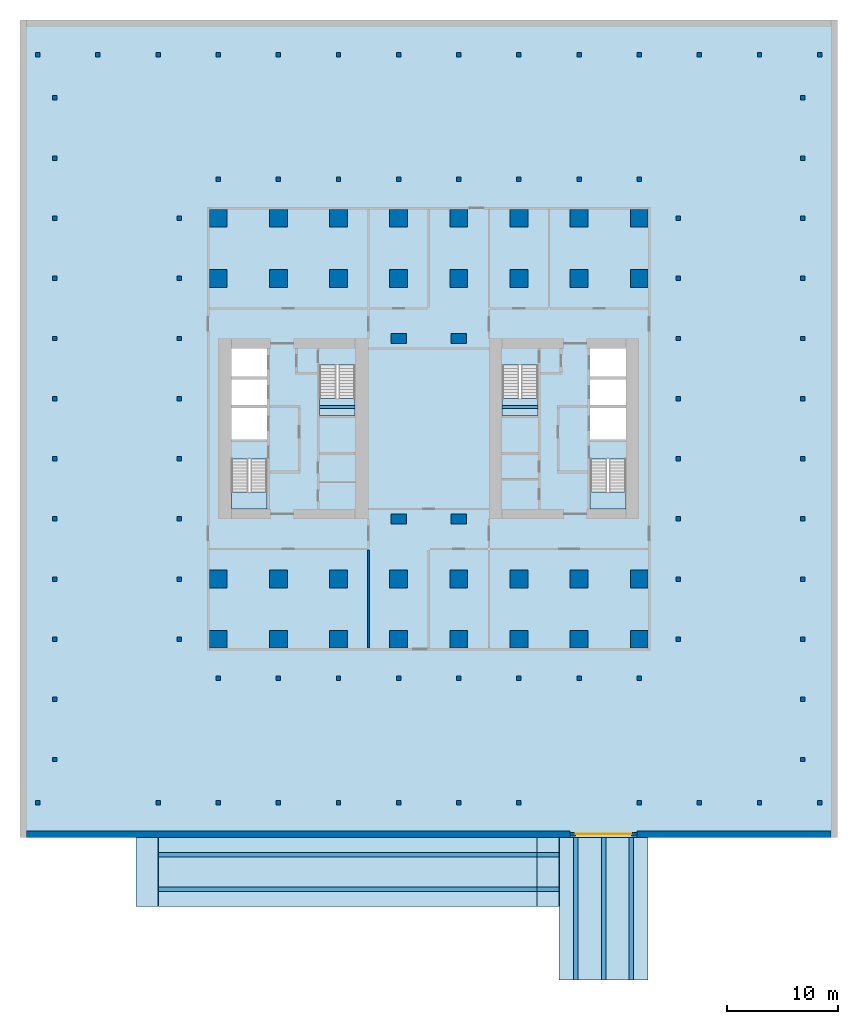
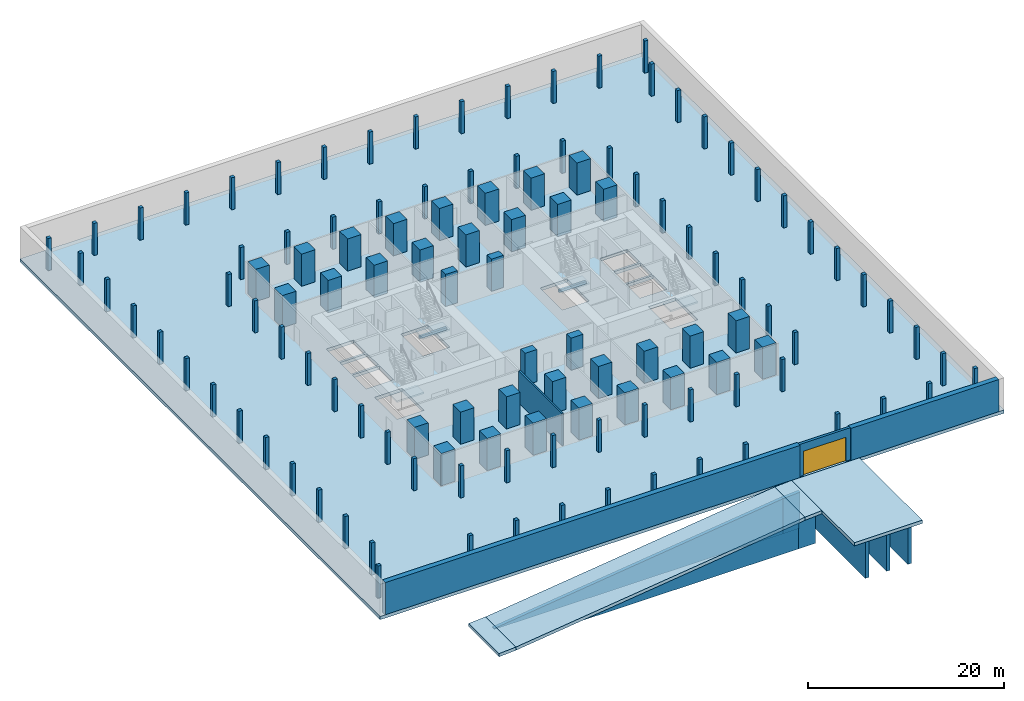
# One storey, part 1 of 6: 118 columns, 11 walls, 9 slabs, 2 beams, 1 door, 1 opening, 4 elements without a shape of their own.
"""IFC4 building model written with IfcOpenShell, lengths in metres."""

from ifc_helpers import new_model, si_unit, direction, frame, frame_2d, origin, origin_2d, place, context, subcontext, project, spatial, polyline, rectangle, outline, extrude, material, layer, layer_set, material_profile, profile_set, type_object, element, fill, aggregate, save


model = new_model("IFC4")

# Units and contexts
model_context = context("Model", 3, precision=1e-05, world=origin(), true_north=direction((0.0, 1.0)))
body_context = subcontext(model_context, "Body", "Model", "MODEL_VIEW")
ifc_project = project(units=[si_unit("LENGTHUNIT", "METRE"), si_unit("AREAUNIT", "SQUARE_METRE"), si_unit("VOLUMEUNIT", "CUBIC_METRE"), si_unit("PLANEANGLEUNIT", "RADIAN"), si_unit("MASSUNIT", "GRAM", prefix="KILO")], contexts=[model_context])

# Site, building, storey
site_placement = place(None, origin())
site = spatial("IfcSite", under=ifc_project, at=site_placement, CompositionType="ELEMENT")
building_placement = place(site_placement, origin())
building = spatial("IfcBuilding", under=site, at=building_placement, Name="Tabaq Tower and Sports Hall", CompositionType="ELEMENT")
storey_placement = place(building_placement, frame((0.0, 0.0, -4.5)))
storey = spatial("IfcBuildingStorey", under=building, at=storey_placement, Name="B01", CompositionType="ELEMENT", Elevation=-4.5)

# Columns
ifc_material_1 = material(Name="Concrete C60/75", Category="concrete")
ifc_material_profile_1 = material_profile(ifc_material_1, rectangle(XDim=1.39990234375, YDim=0.89990234375, at=origin_2d()), Name="ATRIUM COLUMN 1400x900")
ifc_profile_set_1 = profile_set([ifc_material_profile_1], Name="Concrete C60/75")
column_type_1 = type_object("IfcColumnType", Name="RC COLUMN ATRIUM COLUMN 1400x900 C60/75", PredefinedType="COLUMN", material=ifc_profile_set_1)
for number, where, z_axis, x_axis, name in (
    (1, (21.60009765625, 16.199951171875, 0.0), (0.0, 0.0, 1.0), (1.0, 0.0, 0.0), "Atrium Column 5/D B01"),
    (2, (27.0, 16.199951171875, 0.0), (0.0, 0.0, 1.0), (1.0, 0.0, 0.0), "Atrium Column 6/D B01"),
    (3, (21.60009765625, 32.39990234375, 0.0), (0.0, 0.0, 1.0), (1.0, 0.0, 0.0), "Atrium Column 5/G B01"),
    (4, (27.0, 32.39990234375, 0.0), (0.0, 0.0, 1.0), (1.0, 0.0, 0.0), "Atrium Column 6/G B01"),
):
    element("IfcColumn", number, at=place(storey_placement, frame(where, z_axis=z_axis, x_axis=x_axis)), inside=storey, type_object=column_type_1, Name=name, PredefinedType="COLUMN", context=body_context, shape_type="SweptSolid", body=[
        extrude(rectangle(XDim=1.39990234375, YDim=0.89990234375, at=origin_2d()), origin(), (0.0, 0.0, 1.0), 4.0),
    ])
ifc_material_2 = material(Name="Concrete C60/75", Category="concrete")
ifc_material_profile_2 = material_profile(ifc_material_2, rectangle(XDim=1.60009765625, YDim=1.60009765625, at=origin_2d()), Name="COLUMN 1600x1600")
ifc_profile_set_2 = profile_set([ifc_material_profile_2], Name="Concrete C60/75")
column_type_2 = type_object("IfcColumnType", Name="RC COLUMN COLUMN 1600x1600 C60/75", PredefinedType="COLUMN", material=ifc_profile_set_2)
for number, where, z_axis, x_axis, name in (
    (5, (5.39990234375, 5.39990234375, 0.0), (0.0, 0.0, 1.0), (1.0, 0.0, 0.0), "Column 2/B B01"),
    (6, (10.800048828125, 5.39990234375, 0.0), (0.0, 0.0, 1.0), (1.0, 0.0, 0.0), "Column 3/B B01"),
    (7, (16.199951171875, 5.39990234375, 0.0), (0.0, 0.0, 1.0), (1.0, 0.0, 0.0), "Column 4/B B01"),
    (8, (21.60009765625, 5.39990234375, 0.0), (0.0, 0.0, 1.0), (1.0, 0.0, 0.0), "Column 5/B B01"),
    (9, (27.0, 5.39990234375, 0.0), (0.0, 0.0, 1.0), (1.0, 0.0, 0.0), "Column 6/B B01"),
    (10, (32.39990234375, 5.39990234375, 0.0), (0.0, 0.0, 1.0), (1.0, 0.0, 0.0), "Column 7/B B01"),
    (11, (37.800048828125, 5.39990234375, 0.0), (0.0, 0.0, 1.0), (1.0, 0.0, 0.0), "Column 8/B B01"),
    (12, (43.199951171875, 5.39990234375, 0.0), (0.0, 0.0, 1.0), (1.0, 0.0, 0.0), "Column 9/B B01"),
    (13, (5.39990234375, 10.800048828125, 0.0), (0.0, 0.0, 1.0), (1.0, 0.0, 0.0), "Column 2/C B01"),
    (14, (10.800048828125, 10.800048828125, 0.0), (0.0, 0.0, 1.0), (1.0, 0.0, 0.0), "Column 3/C B01"),
    (15, (16.199951171875, 10.800048828125, 0.0), (0.0, 0.0, 1.0), (1.0, 0.0, 0.0), "Column 4/C B01"),
    (16, (21.60009765625, 10.800048828125, 0.0), (0.0, 0.0, 1.0), (1.0, 0.0, 0.0), "Column 5/C B01"),
    (17, (27.0, 10.800048828125, 0.0), (0.0, 0.0, 1.0), (1.0, 0.0, 0.0), "Column 6/C B01"),
    (18, (32.39990234375, 10.800048828125, 0.0), (0.0, 0.0, 1.0), (1.0, 0.0, 0.0), "Column 7/C B01"),
    (19, (37.800048828125, 10.800048828125, 0.0), (0.0, 0.0, 1.0), (1.0, 0.0, 0.0), "Column 8/C B01"),
    (20, (43.199951171875, 10.800048828125, 0.0), (0.0, 0.0, 1.0), (1.0, 0.0, 0.0), "Column 9/C B01"),
    (21, (5.39990234375, 37.800048828125, 0.0), (0.0, 0.0, 1.0), (1.0, 0.0, 0.0), "Column 2/H B01"),
    (22, (10.800048828125, 37.800048828125, 0.0), (0.0, 0.0, 1.0), (1.0, 0.0, 0.0), "Column 3/H B01"),
    (23, (16.199951171875, 37.800048828125, 0.0), (0.0, 0.0, 1.0), (1.0, 0.0, 0.0), "Column 4/H B01"),
    (24, (21.60009765625, 37.800048828125, 0.0), (0.0, 0.0, 1.0), (1.0, 0.0, 0.0), "Column 5/H B01"),
    (25, (27.0, 37.800048828125, 0.0), (0.0, 0.0, 1.0), (1.0, 0.0, 0.0), "Column 6/H B01"),
    (26, (32.39990234375, 37.800048828125, 0.0), (0.0, 0.0, 1.0), (1.0, 0.0, 0.0), "Column 7/H B01"),
    (27, (37.800048828125, 37.800048828125, 0.0), (0.0, 0.0, 1.0), (1.0, 0.0, 0.0), "Column 8/H B01"),
    (28, (43.199951171875, 37.800048828125, 0.0), (0.0, 0.0, 1.0), (1.0, 0.0, 0.0), "Column 9/H B01"),
    (29, (5.39990234375, 43.199951171875, 0.0), (0.0, 0.0, 1.0), (1.0, 0.0, 0.0), "Column 2/I B01"),
    (30, (10.800048828125, 43.199951171875, 0.0), (0.0, 0.0, 1.0), (1.0, 0.0, 0.0), "Column 3/I B01"),
    (31, (16.199951171875, 43.199951171875, 0.0), (0.0, 0.0, 1.0), (1.0, 0.0, 0.0), "Column 4/I B01"),
    (32, (21.60009765625, 43.199951171875, 0.0), (0.0, 0.0, 1.0), (1.0, 0.0, 0.0), "Column 5/I B01"),
    (33, (27.0, 43.199951171875, 0.0), (0.0, 0.0, 1.0), (1.0, 0.0, 0.0), "Column 6/I B01"),
    (34, (32.39990234375, 43.199951171875, 0.0), (0.0, 0.0, 1.0), (1.0, 0.0, 0.0), "Column 7/I B01"),
    (35, (37.800048828125, 43.199951171875, 0.0), (0.0, 0.0, 1.0), (1.0, 0.0, 0.0), "Column 8/I B01"),
    (36, (43.199951171875, 43.199951171875, 0.0), (0.0, 0.0, 1.0), (1.0, 0.0, 0.0), "Column 9/I B01"),
):
    element("IfcColumn", number, at=place(storey_placement, frame(where, z_axis=z_axis, x_axis=x_axis)), inside=storey, type_object=column_type_2, Name=name, PredefinedType="COLUMN", context=body_context, shape_type="SweptSolid", body=[
        extrude(rectangle(XDim=1.60009765625, YDim=1.60009765625, at=origin_2d()), origin(), (0.0, 0.0, 1.0), 4.0),
    ])
ifc_material_3 = material(Name="Concrete C60/75", Category="concrete")
ifc_material_profile_3 = material_profile(ifc_material_3, rectangle(XDim=0.39990234375, YDim=0.39990234375, at=origin_2d()), Name="RING COLUMN 400x400")
ifc_profile_set_3 = profile_set([ifc_material_profile_3], Name="Concrete C60/75")
column_type_3 = type_object("IfcColumnType", Name="RC COLUMN RING COLUMN 400x400 C60/75", PredefinedType="COLUMN", material=ifc_profile_set_3)
for number, where, z_axis, x_axis, name in (
    (37, (-10.800048828125, -9.300048828125, 0.0), (0.0, 0.0, 1.0), (1.0, 0.0, 0.0), "Car Park Column B01 001"),
    (38, (0.0, -9.300048828125, 0.0), (0.0, 0.0, 1.0), (1.0, 0.0, 0.0), "Car Park Column B01 002"),
    (39, (5.39990234375, -9.300048828125, 0.0), (0.0, 0.0, 1.0), (1.0, 0.0, 0.0), "Car Park Column B01 003"),
    (40, (10.800048828125, -9.300048828125, 0.0), (0.0, 0.0, 1.0), (1.0, 0.0, 0.0), "Car Park Column B01 004"),
    (41, (16.199951171875, -9.300048828125, 0.0), (0.0, 0.0, 1.0), (1.0, 0.0, 0.0), "Car Park Column B01 005"),
    (42, (21.60009765625, -9.300048828125, 0.0), (0.0, 0.0, 1.0), (1.0, 0.0, 0.0), "Car Park Column B01 006"),
    (43, (27.0, -9.300048828125, 0.0), (0.0, 0.0, 1.0), (1.0, 0.0, 0.0), "Car Park Column B01 007"),
    (44, (32.39990234375, -9.300048828125, 0.0), (0.0, 0.0, 1.0), (1.0, 0.0, 0.0), "Car Park Column B01 008"),
    (45, (43.199951171875, -9.300048828125, 0.0), (0.0, 0.0, 1.0), (1.0, 0.0, 0.0), "Car Park Column B01 009"),
    (46, (48.60009765625, -9.300048828125, 0.0), (0.0, 0.0, 1.0), (1.0, 0.0, 0.0), "Car Park Column B01 010"),
    (47, (54.0, -9.300048828125, 0.0), (0.0, 0.0, 1.0), (1.0, 0.0, 0.0), "Car Park Column B01 011"),
    (48, (59.39990234375, -9.300048828125, 0.0), (0.0, 0.0, 1.0), (1.0, 0.0, 0.0), "Car Park Column B01 012"),
    (49, (-9.300048828125, -5.39990234375, 0.0), (0.0, 0.0, 1.0), (1.0, 0.0, 0.0), "Car Park Column B01 013"),
    (50, (57.89990234375, -5.39990234375, 0.0), (0.0, 0.0, 1.0), (1.0, 0.0, 0.0), "Car Park Column B01 014"),
    (51, (-9.300048828125, 0.0, 0.0), (0.0, 0.0, 1.0), (1.0, 0.0, 0.0), "Car Park Column B01 015"),
    (52, (57.89990234375, 0.0, 0.0), (0.0, 0.0, 1.0), (1.0, 0.0, 0.0), "Car Park Column B01 016"),
    (53, (5.39990234375, 1.89990234375, 0.0), (0.0, 0.0, 1.0), (1.0, 0.0, 0.0), "Car Park Column B01 017"),
    (54, (10.800048828125, 1.89990234375, 0.0), (0.0, 0.0, 1.0), (1.0, 0.0, 0.0), "Car Park Column B01 018"),
    (55, (16.199951171875, 1.89990234375, 0.0), (0.0, 0.0, 1.0), (1.0, 0.0, 0.0), "Car Park Column B01 019"),
    (56, (21.60009765625, 1.89990234375, 0.0), (0.0, 0.0, 1.0), (1.0, 0.0, 0.0), "Car Park Column B01 020"),
    (57, (27.0, 1.89990234375, 0.0), (0.0, 0.0, 1.0), (1.0, 0.0, 0.0), "Car Park Column B01 021"),
    (58, (32.39990234375, 1.89990234375, 0.0), (0.0, 0.0, 1.0), (1.0, 0.0, 0.0), "Car Park Column B01 022"),
    (59, (37.800048828125, 1.89990234375, 0.0), (0.0, 0.0, 1.0), (1.0, 0.0, 0.0), "Car Park Column B01 023"),
    (60, (43.199951171875, 1.89990234375, 0.0), (0.0, 0.0, 1.0), (1.0, 0.0, 0.0), "Car Park Column B01 024"),
    (61, (-9.300048828125, 5.39990234375, 0.0), (0.0, 0.0, 1.0), (1.0, 0.0, 0.0), "Car Park Column B01 025"),
    (62, (1.89990234375, 5.39990234375, 0.0), (0.0, 0.0, 1.0), (1.0, 0.0, 0.0), "Car Park Column B01 026"),
    (63, (46.699951171875, 5.39990234375, 0.0), (0.0, 0.0, 1.0), (1.0, 0.0, 0.0), "Car Park Column B01 027"),
    (64, (57.89990234375, 5.39990234375, 0.0), (0.0, 0.0, 1.0), (1.0, 0.0, 0.0), "Car Park Column B01 028"),
    (65, (-9.300048828125, 10.800048828125, 0.0), (0.0, 0.0, 1.0), (1.0, 0.0, 0.0), "Car Park Column B01 029"),
    (66, (1.89990234375, 10.800048828125, 0.0), (0.0, 0.0, 1.0), (1.0, 0.0, 0.0), "Car Park Column B01 030"),
    (67, (46.699951171875, 10.800048828125, 0.0), (0.0, 0.0, 1.0), (1.0, 0.0, 0.0), "Car Park Column B01 031"),
    (68, (57.89990234375, 10.800048828125, 0.0), (0.0, 0.0, 1.0), (1.0, 0.0, 0.0), "Car Park Column B01 032"),
    (69, (-9.300048828125, 16.199951171875, 0.0), (0.0, 0.0, 1.0), (1.0, 0.0, 0.0), "Car Park Column B01 033"),
    (70, (1.89990234375, 16.199951171875, 0.0), (0.0, 0.0, 1.0), (1.0, 0.0, 0.0), "Car Park Column B01 034"),
    (71, (46.699951171875, 16.199951171875, 0.0), (0.0, 0.0, 1.0), (1.0, 0.0, 0.0), "Car Park Column B01 035"),
    (72, (57.89990234375, 16.199951171875, 0.0), (0.0, 0.0, 1.0), (1.0, 0.0, 0.0), "Car Park Column B01 036"),
    (73, (-9.300048828125, 21.60009765625, 0.0), (0.0, 0.0, 1.0), (1.0, 0.0, 0.0), "Car Park Column B01 037"),
    (74, (1.89990234375, 21.60009765625, 0.0), (0.0, 0.0, 1.0), (1.0, 0.0, 0.0), "Car Park Column B01 038"),
    (75, (46.699951171875, 21.60009765625, 0.0), (0.0, 0.0, 1.0), (1.0, 0.0, 0.0), "Car Park Column B01 039"),
    (76, (57.89990234375, 21.60009765625, 0.0), (0.0, 0.0, 1.0), (1.0, 0.0, 0.0), "Car Park Column B01 040"),
    (77, (-9.300048828125, 27.0, 0.0), (0.0, 0.0, 1.0), (1.0, 0.0, 0.0), "Car Park Column B01 041"),
    (78, (1.89990234375, 27.0, 0.0), (0.0, 0.0, 1.0), (1.0, 0.0, 0.0), "Car Park Column B01 042"),
    (79, (46.699951171875, 27.0, 0.0), (0.0, 0.0, 1.0), (1.0, 0.0, 0.0), "Car Park Column B01 043"),
    (80, (57.89990234375, 27.0, 0.0), (0.0, 0.0, 1.0), (1.0, 0.0, 0.0), "Car Park Column B01 044"),
    (81, (-9.300048828125, 32.39990234375, 0.0), (0.0, 0.0, 1.0), (1.0, 0.0, 0.0), "Car Park Column B01 045"),
    (82, (1.89990234375, 32.39990234375, 0.0), (0.0, 0.0, 1.0), (1.0, 0.0, 0.0), "Car Park Column B01 046"),
    (83, (46.699951171875, 32.39990234375, 0.0), (0.0, 0.0, 1.0), (1.0, 0.0, 0.0), "Car Park Column B01 047"),
    (84, (57.89990234375, 32.39990234375, 0.0), (0.0, 0.0, 1.0), (1.0, 0.0, 0.0), "Car Park Column B01 048"),
    (85, (-9.300048828125, 37.800048828125, 0.0), (0.0, 0.0, 1.0), (1.0, 0.0, 0.0), "Car Park Column B01 049"),
    (86, (1.89990234375, 37.800048828125, 0.0), (0.0, 0.0, 1.0), (1.0, 0.0, 0.0), "Car Park Column B01 050"),
    (87, (46.699951171875, 37.800048828125, 0.0), (0.0, 0.0, 1.0), (1.0, 0.0, 0.0), "Car Park Column B01 051"),
    (88, (57.89990234375, 37.800048828125, 0.0), (0.0, 0.0, 1.0), (1.0, 0.0, 0.0), "Car Park Column B01 052"),
    (89, (-9.300048828125, 43.199951171875, 0.0), (0.0, 0.0, 1.0), (1.0, 0.0, 0.0), "Car Park Column B01 053"),
    (90, (1.89990234375, 43.199951171875, 0.0), (0.0, 0.0, 1.0), (1.0, 0.0, 0.0), "Car Park Column B01 054"),
    (91, (46.699951171875, 43.199951171875, 0.0), (0.0, 0.0, 1.0), (1.0, 0.0, 0.0), "Car Park Column B01 055"),
    (92, (57.89990234375, 43.199951171875, 0.0), (0.0, 0.0, 1.0), (1.0, 0.0, 0.0), "Car Park Column B01 056"),
    (93, (5.39990234375, 46.699951171875, 0.0), (0.0, 0.0, 1.0), (1.0, 0.0, 0.0), "Car Park Column B01 057"),
    (94, (10.800048828125, 46.699951171875, 0.0), (0.0, 0.0, 1.0), (1.0, 0.0, 0.0), "Car Park Column B01 058"),
    (95, (16.199951171875, 46.699951171875, 0.0), (0.0, 0.0, 1.0), (1.0, 0.0, 0.0), "Car Park Column B01 059"),
    (96, (21.60009765625, 46.699951171875, 0.0), (0.0, 0.0, 1.0), (1.0, 0.0, 0.0), "Car Park Column B01 060"),
    (97, (27.0, 46.699951171875, 0.0), (0.0, 0.0, 1.0), (1.0, 0.0, 0.0), "Car Park Column B01 061"),
    (98, (32.39990234375, 46.699951171875, 0.0), (0.0, 0.0, 1.0), (1.0, 0.0, 0.0), "Car Park Column B01 062"),
    (99, (37.800048828125, 46.699951171875, 0.0), (0.0, 0.0, 1.0), (1.0, 0.0, 0.0), "Car Park Column B01 063"),
    (100, (43.199951171875, 46.699951171875, 0.0), (0.0, 0.0, 1.0), (1.0, 0.0, 0.0), "Car Park Column B01 064"),
    (101, (-9.300048828125, 48.60009765625, 0.0), (0.0, 0.0, 1.0), (1.0, 0.0, 0.0), "Car Park Column B01 065"),
    (102, (57.89990234375, 48.60009765625, 0.0), (0.0, 0.0, 1.0), (1.0, 0.0, 0.0), "Car Park Column B01 066"),
    (103, (-9.300048828125, 54.0, 0.0), (0.0, 0.0, 1.0), (1.0, 0.0, 0.0), "Car Park Column B01 067"),
    (104, (57.89990234375, 54.0, 0.0), (0.0, 0.0, 1.0), (1.0, 0.0, 0.0), "Car Park Column B01 068"),
    (105, (-10.800048828125, 57.89990234375, 0.0), (0.0, 0.0, 1.0), (1.0, 0.0, 0.0), "Car Park Column B01 069"),
    (106, (-5.39990234375, 57.89990234375, 0.0), (0.0, 0.0, 1.0), (1.0, 0.0, 0.0), "Car Park Column B01 070"),
    (107, (0.0, 57.89990234375, 0.0), (0.0, 0.0, 1.0), (1.0, 0.0, 0.0), "Car Park Column B01 071"),
    (108, (5.39990234375, 57.89990234375, 0.0), (0.0, 0.0, 1.0), (1.0, 0.0, 0.0), "Car Park Column B01 072"),
    (109, (10.800048828125, 57.89990234375, 0.0), (0.0, 0.0, 1.0), (1.0, 0.0, 0.0), "Car Park Column B01 073"),
    (110, (16.199951171875, 57.89990234375, 0.0), (0.0, 0.0, 1.0), (1.0, 0.0, 0.0), "Car Park Column B01 074"),
    (111, (21.60009765625, 57.89990234375, 0.0), (0.0, 0.0, 1.0), (1.0, 0.0, 0.0), "Car Park Column B01 075"),
    (112, (27.0, 57.89990234375, 0.0), (0.0, 0.0, 1.0), (1.0, 0.0, 0.0), "Car Park Column B01 076"),
    (113, (32.39990234375, 57.89990234375, 0.0), (0.0, 0.0, 1.0), (1.0, 0.0, 0.0), "Car Park Column B01 077"),
    (114, (37.800048828125, 57.89990234375, 0.0), (0.0, 0.0, 1.0), (1.0, 0.0, 0.0), "Car Park Column B01 078"),
    (115, (43.199951171875, 57.89990234375, 0.0), (0.0, 0.0, 1.0), (1.0, 0.0, 0.0), "Car Park Column B01 079"),
    (116, (48.60009765625, 57.89990234375, 0.0), (0.0, 0.0, 1.0), (1.0, 0.0, 0.0), "Car Park Column B01 080"),
    (117, (54.0, 57.89990234375, 0.0), (0.0, 0.0, 1.0), (1.0, 0.0, 0.0), "Car Park Column B01 081"),
    (118, (59.39990234375, 57.89990234375, 0.0), (0.0, 0.0, 1.0), (1.0, 0.0, 0.0), "Car Park Column B01 082"),
):
    element("IfcColumn", number, at=place(storey_placement, frame(where, z_axis=z_axis, x_axis=x_axis)), inside=storey, type_object=column_type_3, Name=name, PredefinedType="COLUMN", context=body_context, shape_type="SweptSolid", body=[
        extrude(rectangle(XDim=0.39990234375, YDim=0.39990234375, at=origin_2d()), origin(), (0.0, 0.0, 1.0), 4.0),
    ])

# Beams
ifc_material_4 = material(Name="Concrete C40/50", Category="concrete")
ifc_material_profile_4 = material_profile(ifc_material_4, rectangle(XDim=0.25, YDim=0.300048828125, at=origin_2d()), Name="RC 250x300")
ifc_profile_set_4 = profile_set([ifc_material_profile_4], Name="Concrete C40/50")
beam_type = type_object("IfcBeamType", Name="Stair landing beam 250x300", PredefinedType="BEAM", material=ifc_profile_set_4)
beam_1_placement = place(storey_placement, frame((14.5, 26.25, 1.89990234375), z_axis=(1.0, 0.0, 0.0), x_axis=(0.0, 1.0, 0.0)))
element("IfcBeam", 119, at=beam_1_placement, inside=storey, type_object=beam_type, Name="B01 ST2 landing beam 1", PredefinedType="BEAM", context=body_context, shape_type="SweptSolid", body=[
    extrude(rectangle(XDim=0.25, YDim=0.300048828125, at=origin_2d()), origin(), (0.0, 0.0, 1.0), 3.199951171875),
])
beam_2_placement = place(storey_placement, frame((30.89990234375, 26.25, 1.89990234375), z_axis=(1.0, 0.0, 0.0), x_axis=(0.0, 1.0, 0.0)))
element("IfcBeam", 120, at=beam_2_placement, inside=storey, type_object=beam_type, Name="B01 ST4 landing beam 1", PredefinedType="BEAM", context=body_context, shape_type="SweptSolid", body=[
    extrude(rectangle(XDim=0.25, YDim=0.300048828125, at=origin_2d()), origin(), (0.0, 0.0, 1.0), 3.2001953125),
])

# Slabs
ifc_material_5 = material(Name="Concrete C40/50", Category="concrete")
ifc_layer_1 = layer(ifc_material_5, 0.39990234375)
ifc_layer_set_1 = layer_set([ifc_layer_1], Name="Car Ramp Slab 400")
slab_type_1 = type_object("IfcSlabType", Name="Car Ramp Slab 400", PredefinedType="USERDEFINED", material=ifc_layer_set_1)
slab_1_placement = place(storey_placement, frame((34.0, -18.60009765625, -0.125), z_axis=(-0.062378286155, 0.0, 0.998052578483), x_axis=(0.998052578483, 0.0, 0.062378286155)))
element("IfcSlab", 121, at=slab_1_placement, inside=storey, type_object=slab_type_1, Name="Car Ramp R2 Slab 1", ObjectType="RAMP SLAB", PredefinedType="USERDEFINED", context=body_context, shape_type="SweptSolid", body=[
    extrude(outline(polyline([(0.0, 0.0), (2.003902442735175, 0.0), (2.003902442735175, 6.2001953125), (0.0, 6.2001953125), (0.0, 0.0)])), origin(), (0.0, 0.0, -1.0), 0.39990234375),
])
slab_2_placement = place(storey_placement, frame((0.0, -18.60009765625, -4.375), z_axis=(-0.124034734589, 0.0, 0.992277876714), x_axis=(0.992277876714, 0.0, 0.124034734589)))
element("IfcSlab", 122, at=slab_2_placement, inside=storey, type_object=slab_type_1, Name="Car Ramp R2 Slab 2", ObjectType="RAMP SLAB", PredefinedType="USERDEFINED", context=body_context, shape_type="SweptSolid", body=[
    extrude(outline(polyline([(0.0, 0.0), (34.26459543026884, 0.0), (34.26459543026884, 6.2001953125), (0.0, 6.2001953125), (0.0, 0.0)])), origin(), (0.0, 0.0, -1.0), 0.39990234375),
])
slab_3_placement = place(storey_placement, frame((-2.0, -18.60009765625, -4.5), z_axis=(-0.062378286155, 0.0, 0.998052578483), x_axis=(0.998052578483, 0.0, 0.062378286155)))
element("IfcSlab", 123, at=slab_3_placement, inside=storey, type_object=slab_type_1, Name="Car Ramp R2 Slab 3", ObjectType="RAMP SLAB", PredefinedType="USERDEFINED", context=body_context, shape_type="SweptSolid", body=[
    extrude(outline(polyline([(0.0, 0.0), (2.003902442735175, 0.0), (2.003902442735175, 6.2001953125), (0.0, 6.2001953125), (0.0, 0.0)])), origin(), (0.0, 0.0, -1.0), 0.39990234375),
])

# Stair, slab
ifc_material_6 = material(Name="Concrete C40/50", Category="concrete")
stair_type = type_object("IfcStairType", Name="Exit stair", PredefinedType="HALF_TURN_STAIR", material=ifc_material_6)
stair_1_placement = place(storey_placement, origin())
stair_1 = element("IfcStair", 124, at=stair_1_placement, inside=storey, type_object=stair_type, Name="B01 Exit stair ST1", PredefinedType="HALF_TURN_STAIR")
ifc_material_7 = material(Name="Concrete C40/50", Category="concrete")
ifc_layer_2 = layer(ifc_material_7, 0.199951171875)
ifc_layer_set_2 = layer_set([ifc_layer_2], Name="Exit stair landing")
slab_type_2 = type_object("IfcSlabType", Name="Exit stair landing", PredefinedType="LANDING", material=ifc_layer_set_2)
slab_4_placement = place(storey_placement, frame((0.0, 0.0, 2.050048828125)))
slab_4 = element("IfcSlab", 125, at=slab_4_placement, type_object=slab_type_2, Name="ST1 landing 1", PredefinedType="LANDING", context=body_context, shape_type="SweptSolid", body=[
    extrude(outline(polyline([(6.60009765625, 18.60009765625), (6.60009765625, 17.10009765625), (9.800048828125, 17.10009765625), (9.800048828125, 18.60009765625), (6.60009765625, 18.60009765625)])), origin(), (0.0, 0.0, 1.0), 0.199951171875),
])
aggregate(stair_1, [slab_4])

stair_2_placement = place(storey_placement, origin())
stair_2 = element("IfcStair", 126, at=stair_2_placement, inside=storey, type_object=stair_type, Name="B01 Exit stair ST2", PredefinedType="HALF_TURN_STAIR")
slab_5_placement = place(storey_placement, frame((0.0, 0.0, 2.050048828125)))
slab_5 = element("IfcSlab", 127, at=slab_5_placement, type_object=slab_type_2, Name="ST2 landing 1", PredefinedType="LANDING", context=body_context, shape_type="SweptSolid", body=[
    extrude(outline(polyline([(14.5, 27.0), (14.5, 25.5), (17.699951171875, 25.5), (17.699951171875, 27.0), (14.5, 27.0)])), origin(), (0.0, 0.0, 1.0), 0.199951171875),
])
aggregate(stair_2, [slab_5])

stair_3_placement = place(storey_placement, origin())
stair_3 = element("IfcStair", 128, at=stair_3_placement, inside=storey, type_object=stair_type, Name="B01 Exit stair ST3", PredefinedType="HALF_TURN_STAIR")
slab_6_placement = place(storey_placement, frame((0.0, 0.0, 2.050048828125)))
slab_6 = element("IfcSlab", 129, at=slab_6_placement, type_object=slab_type_2, Name="ST3 landing 1", PredefinedType="LANDING", context=body_context, shape_type="SweptSolid", body=[
    extrude(outline(polyline([(38.800048828125, 18.60009765625), (38.800048828125, 17.10009765625), (42.0, 17.10009765625), (42.0, 18.60009765625), (38.800048828125, 18.60009765625)])), origin(), (0.0, 0.0, 1.0), 0.199951171875),
])
aggregate(stair_3, [slab_6])

stair_4_placement = place(storey_placement, origin())
stair_4 = element("IfcStair", 130, at=stair_4_placement, inside=storey, type_object=stair_type, Name="B01 Exit stair ST4", PredefinedType="HALF_TURN_STAIR")
slab_7_placement = place(storey_placement, frame((0.0, 0.0, 2.050048828125)))
slab_7 = element("IfcSlab", 131, at=slab_7_placement, type_object=slab_type_2, Name="ST4 landing 1", PredefinedType="LANDING", context=body_context, shape_type="SweptSolid", body=[
    extrude(outline(polyline([(30.89990234375, 27.0), (30.89990234375, 25.5), (34.10009765625, 25.5), (34.10009765625, 27.0), (30.89990234375, 27.0)])), origin(), (0.0, 0.0, 1.0), 0.199951171875),
])
aggregate(stair_4, [slab_7])

# Slabs
ifc_material_8 = material(Name="Concrete C40/50", Category="concrete")
ifc_layer_3 = layer(ifc_material_8, 0.39990234375)
ifc_layer_set_3 = layer_set([ifc_layer_3], Name="RC FLOOR SLAB 400 C40/50")
slab_type_3 = type_object("IfcSlabType", Name="RC FLOOR SLAB 400 C40/50", PredefinedType="FLOOR", material=ifc_layer_set_3)
slab_8_placement = place(storey_placement, frame((0.0, 0.0, -0.39990234375)))
element("IfcSlab", 132, at=slab_8_placement, inside=storey, type_object=slab_type_3, Name="Floor Slab B01", PredefinedType="FLOOR", context=body_context, shape_type="SweptSolid", body=[
    extrude(outline(polyline([(-12.39990234375, -12.39990234375), (61.0, -12.39990234375), (61.0, 61.0), (-12.39990234375, 61.0), (-12.39990234375, -12.39990234375)]), holes=[polyline([(9.800048828125, 21.599365234375), (9.800048828125, 17.10009765625), (6.60009765625, 17.10009765625), (6.60009765625, 21.599365234375), (9.800048828125, 21.599365234375)]), polyline([(42.0, 21.599365234375), (42.0, 17.10009765625), (38.800048828125, 17.10009765625), (38.800048828125, 21.599365234375), (42.0, 21.599365234375)]), polyline([(9.800048828125, 26.175048828125), (9.800048828125, 23.35009765625), (6.60009765625, 23.35009765625), (6.60009765625, 26.175048828125), (9.800048828125, 26.175048828125)]), polyline([(42.0, 23.35009765625), (38.800048828125, 23.35009765625), (38.800048828125, 26.175048828125), (42.0, 26.175048828125), (42.0, 23.35009765625)]), polyline([(9.800048828125, 26.425048828125), (6.60009765625, 26.425048828125), (6.60009765625, 28.72509765625), (9.800048828125, 28.72509765625), (9.800048828125, 26.425048828125)]), polyline([(42.0, 28.72509765625), (42.0, 26.425048828125), (38.800048828125, 26.425048828125), (38.800048828125, 28.72509765625), (42.0, 28.72509765625)]), polyline([(17.699951171875, 29.99951171875), (17.699951171875, 25.5), (14.5, 25.5), (14.5, 29.99951171875), (17.699951171875, 29.99951171875)]), polyline([(34.10009765625, 29.99951171875), (34.10009765625, 25.5), (30.89990234375, 25.5), (30.89990234375, 29.99951171875), (34.10009765625, 29.99951171875)]), polyline([(9.800048828125, 28.97509765625), (6.60009765625, 28.97509765625), (6.60009765625, 31.5), (9.800048828125, 31.5), (9.800048828125, 28.97509765625)]), polyline([(42.0, 28.97509765625), (38.800048828125, 28.97509765625), (38.800048828125, 31.5), (42.0, 31.5), (42.0, 28.97509765625)])]), origin(), (0.0, 0.0, 1.0), 0.39990234375),
])
ifc_material_9 = material(Name="Concrete C40/50", Category="concrete")
ifc_layer_4 = layer(ifc_material_9, 0.39990234375)
ifc_layer_set_4 = layer_set([ifc_layer_4], Name="Ramp Landing Slab 400")
slab_type_4 = type_object("IfcSlabType", Name="Ramp Landing Slab 400", PredefinedType="LANDING", material=ifc_layer_set_4)
slab_9_placement = place(storey_placement, frame((0.0, 0.0, -0.39990234375)))
element("IfcSlab", 133, at=slab_9_placement, inside=storey, type_object=slab_type_4, Name="Ramp Landing B01", PredefinedType="LANDING", context=body_context, shape_type="SweptSolid", body=[
    extrude(outline(polyline([(36.0, -25.199951171875), (44.0, -25.199951171875), (44.0, -12.39990234375), (36.0, -12.39990234375), (36.0, -25.199951171875)])), origin(), (0.0, 0.0, 1.0), 0.39990234375),
])

# Walls
ifc_material_10 = material(Name="Blockwork", Category="masonry")
ifc_layer_5 = layer(ifc_material_10, 0.199951171875)
ifc_layer_set_5 = layer_set([ifc_layer_5], Name="Blockwork Wall 200 EI 60")
wall_type_1 = type_object("IfcWallType", Name="Blockwork Wall 200 EI 60", PredefinedType="PARTITIONING", material=ifc_layer_set_5)
wall_1_placement = place(storey_placement, frame((18.89990234375, 4.60009765625, 0.0), z_axis=(0.0, 0.0, 1.0), x_axis=(0.0, 1.0, 0.0)))
element("IfcWall", 134, at=wall_1_placement, inside=storey, type_object=wall_type_1, Name="Wall B01-05", PredefinedType="PARTITIONING", context=body_context, shape_type="SweptSolid", body=[
    extrude(rectangle(XDim=8.7998046875, YDim=0.199951171875, at=frame_2d((4.39990234375, 0.0))), origin(), (0.0, 0.0, 1.0), 4.0),
])
ifc_material_11 = material(Name="Concrete C60/75", Category="concrete")
ifc_layer_6 = layer(ifc_material_11, 0.60009765625)
ifc_layer_set_6 = layer_set([ifc_layer_6], Name="RC RETAINING WALL 600 C60/75")
wall_type_2 = type_object("IfcWallType", Name="RC RETAINING WALL 600 C60/75", PredefinedType="SOLIDWALL", material=ifc_layer_set_6)
wall_2_placement = place(storey_placement, frame((-11.800048828125, -12.10009765625, 0.0), z_axis=(0.0, 0.0, 1.0), x_axis=(1.0, 0.0, 0.0)))
element("IfcWall", 135, at=wall_2_placement, inside=storey, type_object=wall_type_2, Name="Retaining Wall South B01", PredefinedType="SOLIDWALL", context=body_context, shape_type="SweptSolid", body=[
    extrude(rectangle(XDim=48.800048828125, YDim=0.60009765625, at=frame_2d((24.39990234375, 0.0))), origin(), (0.0, 0.0, 1.0), 4.0),
])
wall_3_placement = place(storey_placement, frame((43.0, -12.10009765625, 0.0), z_axis=(0.0, 0.0, 1.0), x_axis=(1.0, 0.0, 0.0)))
element("IfcWall", 136, at=wall_3_placement, inside=storey, type_object=wall_type_2, Name="Retaining Wall South B01 part 2", PredefinedType="SOLIDWALL", context=body_context, shape_type="SweptSolid", body=[
    extrude(rectangle(XDim=17.39990234375, YDim=0.60009765625, at=frame_2d((8.699951171875, 0.0))), origin(), (0.0, 0.0, 1.0), 4.0),
])
ifc_material_12 = material(Name="Concrete C40/50", Category="concrete")
ifc_layer_7 = layer(ifc_material_12, 0.39990234375)
ifc_layer_set_7 = layer_set([ifc_layer_7], Name="Ramp Retaining Wall 400")
wall_type_3 = type_object("IfcWallType", Name="Ramp Retaining Wall 400", PredefinedType="SOLIDWALL", material=ifc_layer_set_7)
for number, where, z_axis, x_axis, name in (
    (137, (34.0, -17.050048828125, -4.89990234375), (0.0, 0.0, 1.0), (1.0, 0.0, 0.0), "Car Ramp R2 Support Wall 1.1"),
    (138, (34.0, -13.949951171875, -4.89990234375), (0.0, 0.0, 1.0), (1.0, 0.0, 0.0), "Car Ramp R2 Support Wall 1.2"),
):
    element("IfcWall", number, at=place(storey_placement, frame(where, z_axis=z_axis, x_axis=x_axis)), inside=storey, type_object=wall_type_3, Name=name, PredefinedType="SOLIDWALL", context=body_context, shape_type="SweptSolid", body=[
        extrude(outline(polyline([(0.0, 0.0), (2.0, 0.0), (2.0, 4.5), (0.0, 4.375), (0.0, 0.0)])), frame((0.0, 0.199951171875, 0.0), z_axis=(0.0, -1.0, 0.0), x_axis=(1.0, 0.0, 0.0)), (0.0, 0.0, 1.0), 0.39990234375),
    ])
for number, where, z_axis, x_axis, name in (
    (139, (0.0, -17.050048828125, -4.89990234375), (0.0, 0.0, 1.0), (1.0, 0.0, 0.0), "Car Ramp R2 Support Wall 2.1"),
    (140, (0.0, -13.949951171875, -4.89990234375), (0.0, 0.0, 1.0), (1.0, 0.0, 0.0), "Car Ramp R2 Support Wall 2.2"),
):
    element("IfcWall", number, at=place(storey_placement, frame(where, z_axis=z_axis, x_axis=x_axis)), inside=storey, type_object=wall_type_3, Name=name, PredefinedType="SOLIDWALL", context=body_context, shape_type="SweptSolid", body=[
        extrude(outline(polyline([(0.0, 0.0), (34.0, 0.0), (34.0, 4.375), (0.0, 0.125), (0.0, 0.0)])), frame((0.0, 0.199951171875, 0.0), z_axis=(0.0, -1.0, 0.0), x_axis=(1.0, 0.0, 0.0)), (0.0, 0.0, 1.0), 0.39990234375),
    ])
for number, where, z_axis, x_axis, name in (
    (141, (37.5, -25.199951171875, -4.89990234375), (0.0, 0.0, 1.0), (0.0, 1.0, 0.0), "Ramp Landing Support Wall 1"),
    (142, (40.0, -25.199951171875, -4.89990234375), (0.0, 0.0, 1.0), (0.0, 1.0, 0.0), "Ramp Landing Support Wall 2"),
    (143, (42.5, -25.199951171875, -4.89990234375), (0.0, 0.0, 1.0), (0.0, 1.0, 0.0), "Ramp Landing Support Wall 3"),
):
    element("IfcWall", number, at=place(storey_placement, frame(where, z_axis=z_axis, x_axis=x_axis)), inside=storey, type_object=wall_type_3, Name=name, PredefinedType="SOLIDWALL", context=body_context, shape_type="SweptSolid", body=[
        extrude(rectangle(XDim=12.800048828125, YDim=0.39990234375, at=frame_2d((6.39990234375, 0.0))), origin(), (0.0, 0.0, 1.0), 4.5),
    ])

# Wall, opening, door
ifc_material_13 = material(Name="Concrete C40/50", Category="concrete")
ifc_layer_8 = layer(ifc_material_13, 0.300048828125)
ifc_layer_set_8 = layer_set([ifc_layer_8], Name="Vehicle Gate Surround Wall 300")
wall_type_4 = type_object("IfcWallType", Name="Vehicle Gate Surround Wall 300", PredefinedType="SOLIDWALL", material=ifc_layer_set_8)
wall_4_placement = place(storey_placement, frame((37.0, -12.10009765625, 0.0), z_axis=(0.0, 0.0, 1.0), x_axis=(1.0, 0.0, 0.0)))
wall_4 = element("IfcWall", 144, at=wall_4_placement, inside=storey, type_object=wall_type_4, Name="Vehicle Gate Wall B01", PredefinedType="SOLIDWALL", context=body_context, shape_type="SweptSolid", body=[
    extrude(rectangle(XDim=6.0, YDim=0.300048828125, at=frame_2d((3.0, 0.0))), origin(), (0.0, 0.0, 1.0), 4.0),
])
opening_placement = place(wall_4_placement, frame((0.5, 0.0, 0.0)))
opening = element("IfcOpeningElement", 145, at=opening_placement, cuts=wall_4, Name="Opening B01-19", PredefinedType="OPENING", context=body_context, shape_type="SweptSolid", body=[
    extrude(rectangle(XDim=5.0, YDim=3.0, at=frame_2d((2.5, 1.5))), frame((0.0, 0.16015625, 0.0), z_axis=(0.0, -1.0, 0.0), x_axis=(1.0, 0.0, 0.0)), (0.0, 0.0, 1.0), 0.320068359375),
])
ifc_material_14 = material(Name="Galvanised steel roller shutter", Category="steel")
door_type = type_object("IfcDoorType", Name="Vehicle Gate Roller Shutter 5000x3000", OperationType="ROLLINGUP", PredefinedType="DOOR", material=ifc_material_14)
door_placement = place(opening_placement, origin())
door = element("IfcDoor", 146, at=door_placement, inside=storey, type_object=door_type, Name="Vehicle Gate B01-19", OperationType="ROLLINGUP", OverallHeight=3.0, OverallWidth=5.0, PredefinedType="DOOR", context=body_context, shape_type="SweptSolid", body=[
    extrude(rectangle(XDim=5.0, YDim=3.0, at=frame_2d((2.5, 1.5))), frame((0.0, 0.02490234375, 0.0), z_axis=(0.0, -1.0, 0.0), x_axis=(1.0, 0.0, 0.0)), (0.0, 0.0, 1.0), 0.050048828125),
])
fill(opening, door)

save(model, "model.ifc")
